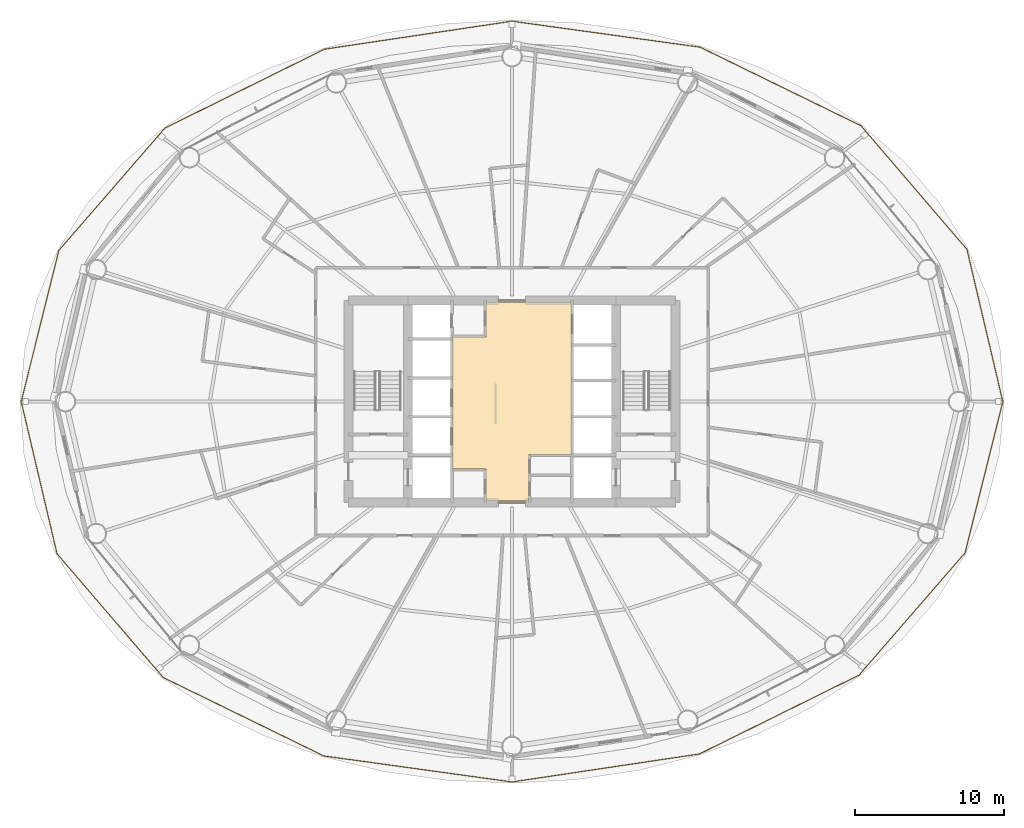
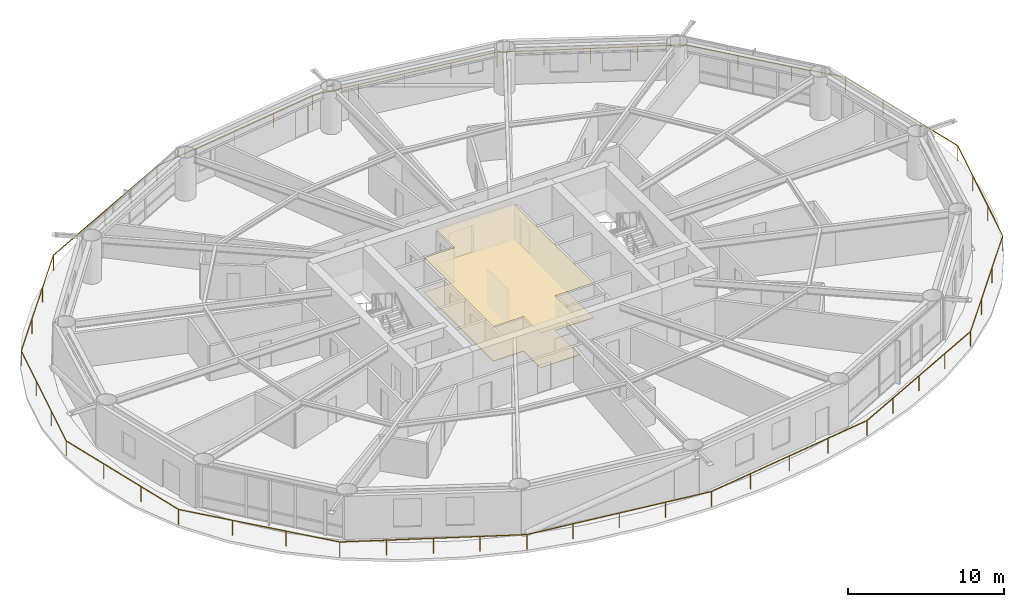
# One storey, part 25 of 26: 2 coverings, 1 railing.
"""IFC4 building model written with IfcOpenShell, lengths in metres."""

from ifc_helpers import new_model, si_unit, direction, frame, origin, origin_2d, place, context, subcontext, project, spatial, polyline, rectangle, outline, extrude, material, layer, layer_set, type_object, element, save


model = new_model("IFC4")

# Units and contexts
model_context = context("Model", 3, precision=1e-05, world=origin(), true_north=direction((0.0, 1.0)))
body_context = subcontext(model_context, "Body", "Model", "MODEL_VIEW")
ifc_project = project(units=[si_unit("LENGTHUNIT", "METRE"), si_unit("AREAUNIT", "SQUARE_METRE"), si_unit("VOLUMEUNIT", "CUBIC_METRE"), si_unit("PLANEANGLEUNIT", "RADIAN"), si_unit("MASSUNIT", "GRAM", prefix="KILO")], contexts=[model_context])

# Site, building, storey
site_placement = place(None, origin())
site = spatial("IfcSite", under=ifc_project, at=site_placement, CompositionType="ELEMENT")
building_placement = place(site_placement, origin())
building = spatial("IfcBuilding", under=site, at=building_placement, Name="Sarneth Arch Tower", CompositionType="ELEMENT")
storey_placement = place(building_placement, frame((0.0, 0.0, 60.60009765625)))
storey = spatial("IfcBuildingStorey", under=building, at=storey_placement, Name="L14", CompositionType="ELEMENT", Elevation=60.60009765625)

# Coverings
ifc_material_1 = material(Name="Perforated acoustic gypsum ceiling board")
ifc_layer_1 = layer(ifc_material_1, 0.02490234375)
ifc_layer_set_1 = layer_set([ifc_layer_1], Name="Perforated acoustic gypsum ceiling board")
covering_type_1 = type_object("IfcCoveringType", Name="COV-CEIL-GYP", PredefinedType="CEILING", material=ifc_layer_set_1)
covering_1_placement = place(storey_placement, frame((0.0, 0.0, 2.7099609375)))
element("IfcCovering", 1, at=covering_1_placement, inside=storey, type_object=covering_type_1, Name="L14 Lift lobby acoustic ceiling", PredefinedType="CEILING", context=body_context, shape_type="SweptSolid", body=[
    extrude(outline(polyline([(49.14990234375, 38.449951171875), (49.14990234375, 35.300048828125), (46.25, 35.300048828125), (46.25, 37.449951171875), (44.0, 37.449951171875), (44.0, 46.35009765625), (46.25, 46.35009765625), (46.25, 48.699951171875), (52.0, 48.699951171875), (52.0, 38.449951171875), (49.14990234375, 38.449951171875)])), origin(), (0.0, 0.0, 1.0), 0.030029296875),
])
ifc_material_2 = material(Name="Honed granite stone flooring", Category="masonry")
ifc_layer_2 = layer(ifc_material_2, 0.030029296875)
ifc_layer_set_2 = layer_set([ifc_layer_2], Name="Honed granite stone flooring")
covering_type_2 = type_object("IfcCoveringType", Name="COV-FLR-STONE", PredefinedType="FLOORING", material=ifc_layer_set_2)
covering_2_placement = place(storey_placement, origin())
element("IfcCovering", 2, at=covering_2_placement, inside=storey, type_object=covering_type_2, Name="L14 Lift lobby granite flooring", PredefinedType="FLOORING", context=body_context, shape_type="SweptSolid", body=[
    extrude(outline(polyline([(49.14990234375, 38.449951171875), (49.14990234375, 35.300048828125), (46.25, 35.300048828125), (46.25, 37.449951171875), (44.0, 37.449951171875), (44.0, 46.35009765625), (46.25, 46.35009765625), (46.25, 48.699951171875), (52.0, 48.699951171875), (52.0, 38.449951171875), (49.14990234375, 38.449951171875)])), origin(), (0.0, 0.0, 1.0), 0.02978515625),
])

# Railing
ifc_material_3 = material(Name="Laminated structural glass infill with Stainless Steel 316 top rail and posts", Category="steel")
railing_type = type_object("IfcRailingType", Name="RAIL-BALC-1200", PredefinedType="BALUSTRADE", material=ifc_material_3)
railing_placement = place(storey_placement, frame((81.013671875, 42.0, 0.0)))
element("IfcRailing", 3, at=railing_placement, inside=storey, type_object=railing_type, Name="L14 Helical balcony glass balustrade", PredefinedType="BALUSTRADE", context=body_context, shape_type="SweptSolid", body=[
    extrude(rectangle(XDim=0.048095703125, YDim=0.048095703125, at=origin_2d()), frame((0.0, 0.0, 1.17578125), z_axis=(-0.229428707075, 0.97332546888, 0.0), x_axis=(-0.97332546888, -0.229428707075, 0.0)), (0.0, 0.0, 1.0), 10.518798828125),
    extrude(rectangle(XDim=0.048095703125, YDim=0.048095703125, at=origin_2d()), frame((-2.413330078125, 10.23828125, 1.17578125), z_axis=(-0.650943668972, 0.759126036851, 0.0), x_axis=(-0.759126036851, -0.650943668972, 0.0)), (0.0, 0.0, 1.0), 10.95654296875),
    extrude(rectangle(XDim=0.048095703125, YDim=0.048095703125, at=origin_2d()), frame((-9.54541015625, 18.5556640625, 1.17578125), z_axis=(-0.898535514198, 0.438900819918, 0.0), x_axis=(-0.438900819918, -0.898535514198, 0.0)), (0.0, 0.0, 1.0), 12.033935546875),
    extrude(rectangle(XDim=0.048095703125, YDim=0.048095703125, at=origin_2d()), frame((-20.3583984375, 23.83740234375, 1.17578125), z_axis=(-0.990589527697, 0.136866312936, 0.0), x_axis=(-0.136866312936, -0.990589527697, 0.0)), (0.0, 0.0, 1.0), 12.775390625),
    extrude(rectangle(XDim=0.048095703125, YDim=0.048095703125, at=origin_2d()), frame((-33.013671875, 25.5859375, 1.17578125), z_axis=(-0.989026462655, -0.1477384722, 0.0), x_axis=(0.1477384722, -0.989026462655, 0.0)), (0.0, 0.0, 1.0), 12.75244140625),
    extrude(rectangle(XDim=0.048095703125, YDim=0.048095703125, at=origin_2d()), frame((-45.626220703125, 23.701904296875, 1.17578125), z_axis=(-0.896452592495, -0.443139650007, 0.0), x_axis=(0.443139650007, -0.896452592495, 0.0)), (0.0, 0.0, 1.0), 11.97509765625),
    extrude(rectangle(XDim=0.048095703125, YDim=0.048095703125, at=origin_2d()), frame((-56.361328125, 18.395263671875, 1.17578125), z_axis=(-0.654898943958, -0.755716463499, 0.0), x_axis=(0.755716463499, -0.654898943958, 0.0)), (0.0, 0.0, 1.0), 10.88525390625),
    extrude(rectangle(XDim=0.048095703125, YDim=0.048095703125, at=origin_2d()), frame((-63.489990234375, 10.169189453125, 1.17578125), z_axis=(-0.242091648712, -0.970253386299, 0.0), x_axis=(0.970253386299, -0.242091648712, 0.0)), (0.0, 0.0, 1.0), 10.48095703125),
    extrude(rectangle(XDim=0.048095703125, YDim=0.048095703125, at=origin_2d()), frame((-66.02734375, 0.0, 1.17578125), z_axis=(0.229428707075, -0.97332546888, 0.0), x_axis=(0.97332546888, 0.229428707075, 0.0)), (0.0, 0.0, 1.0), 10.518798828125),
    extrude(rectangle(XDim=0.048095703125, YDim=0.048095703125, at=origin_2d()), frame((-63.614013671875, -10.23828125, 1.17578125), z_axis=(0.650943668972, -0.759126036851, 0.0), x_axis=(0.759126036851, 0.650943668972, 0.0)), (0.0, 0.0, 1.0), 10.95654296875),
    extrude(rectangle(XDim=0.048095703125, YDim=0.048095703125, at=origin_2d()), frame((-56.48193359375, -18.5556640625, 1.17578125), z_axis=(0.898535514198, -0.438900819918, 0.0), x_axis=(0.438900819918, 0.898535514198, 0.0)), (0.0, 0.0, 1.0), 12.033935546875),
    extrude(rectangle(XDim=0.048095703125, YDim=0.048095703125, at=origin_2d()), frame((-45.6689453125, -23.83740234375, 1.17578125), z_axis=(0.990589527697, -0.136866312936, 0.0), x_axis=(0.136866312936, 0.990589527697, 0.0)), (0.0, 0.0, 1.0), 12.775390625),
    extrude(rectangle(XDim=0.048095703125, YDim=0.048095703125, at=origin_2d()), frame((-33.013671875, -25.5859375, 1.17578125), z_axis=(0.989026462655, 0.1477384722, 0.0), x_axis=(-0.1477384722, 0.989026462655, 0.0)), (0.0, 0.0, 1.0), 12.75244140625),
    extrude(rectangle(XDim=0.048095703125, YDim=0.048095703125, at=origin_2d()), frame((-20.401123046875, -23.701904296875, 1.17578125), z_axis=(0.896452592495, 0.443139650007, 0.0), x_axis=(-0.443139650007, 0.896452592495, 0.0)), (0.0, 0.0, 1.0), 11.97509765625),
    extrude(rectangle(XDim=0.048095703125, YDim=0.048095703125, at=origin_2d()), frame((-9.666015625, -18.395263671875, 1.17578125), z_axis=(0.654898943958, 0.755716463499, 0.0), x_axis=(-0.755716463499, 0.654898943958, 0.0)), (0.0, 0.0, 1.0), 10.88525390625),
    extrude(rectangle(XDim=0.048095703125, YDim=0.048095703125, at=origin_2d()), frame((-2.537353515625, -10.169189453125, 1.17578125), z_axis=(0.242091648712, 0.970253386299, 0.0), x_axis=(-0.970253386299, 0.242091648712, 0.0)), (0.0, 0.0, 1.0), 10.48095703125),
    extrude(rectangle(XDim=0.0419921875, YDim=0.0419921875, at=origin_2d()), origin(), (0.0, 0.0, 1.0), 1.15185546875),
    extrude(rectangle(XDim=0.0419921875, YDim=0.0419921875, at=origin_2d()), frame((-0.804443359375, 3.412841796875, 0.0)), (0.0, 0.0, 1.0), 1.15185546875),
    extrude(rectangle(XDim=0.0419921875, YDim=0.0419921875, at=origin_2d()), frame((-1.60888671875, 6.825439453125, 0.0)), (0.0, 0.0, 1.0), 1.15185546875),
    extrude(rectangle(XDim=0.0419921875, YDim=0.0419921875, at=origin_2d()), frame((-2.413330078125, 10.23828125, 0.0)), (0.0, 0.0, 1.0), 1.15185546875),
    extrude(rectangle(XDim=0.0419921875, YDim=0.0419921875, at=origin_2d()), frame((-4.790771484375, 13.0107421875, 0.0)), (0.0, 0.0, 1.0), 1.15185546875),
    extrude(rectangle(XDim=0.0419921875, YDim=0.0419921875, at=origin_2d()), frame((-7.16796875, 15.783203125, 0.0)), (0.0, 0.0, 1.0), 1.15185546875),
    extrude(rectangle(XDim=0.0419921875, YDim=0.0419921875, at=origin_2d()), frame((-9.54541015625, 18.5556640625, 0.0)), (0.0, 0.0, 1.0), 1.15185546875),
    extrude(rectangle(XDim=0.0419921875, YDim=0.0419921875, at=origin_2d()), frame((-12.24853515625, 19.8759765625, 0.0)), (0.0, 0.0, 1.0), 1.15185546875),
    extrude(rectangle(XDim=0.0419921875, YDim=0.0419921875, at=origin_2d()), frame((-14.951904296875, 21.196533203125, 0.0)), (0.0, 0.0, 1.0), 1.15185546875),
    extrude(rectangle(XDim=0.0419921875, YDim=0.0419921875, at=origin_2d()), frame((-17.6552734375, 22.51708984375, 0.0)), (0.0, 0.0, 1.0), 1.15185546875),
    extrude(rectangle(XDim=0.0419921875, YDim=0.0419921875, at=origin_2d()), frame((-20.3583984375, 23.83740234375, 0.0)), (0.0, 0.0, 1.0), 1.15185546875),
    extrude(rectangle(XDim=0.0419921875, YDim=0.0419921875, at=origin_2d()), frame((-23.522216796875, 24.2744140625, 0.0)), (0.0, 0.0, 1.0), 1.15185546875),
    extrude(rectangle(XDim=0.0419921875, YDim=0.0419921875, at=origin_2d()), frame((-26.68603515625, 24.711669921875, 0.0)), (0.0, 0.0, 1.0), 1.15185546875),
    extrude(rectangle(XDim=0.0419921875, YDim=0.0419921875, at=origin_2d()), frame((-29.849853515625, 25.14892578125, 0.0)), (0.0, 0.0, 1.0), 1.15185546875),
    extrude(rectangle(XDim=0.0419921875, YDim=0.0419921875, at=origin_2d()), frame((-33.013671875, 25.5859375, 0.0)), (0.0, 0.0, 1.0), 1.15185546875),
    extrude(rectangle(XDim=0.0419921875, YDim=0.0419921875, at=origin_2d()), frame((-36.166748046875, 25.114990234375, 0.0)), (0.0, 0.0, 1.0), 1.15185546875),
    extrude(rectangle(XDim=0.0419921875, YDim=0.0419921875, at=origin_2d()), frame((-39.31982421875, 24.64404296875, 0.0)), (0.0, 0.0, 1.0), 1.15185546875),
    extrude(rectangle(XDim=0.0419921875, YDim=0.0419921875, at=origin_2d()), frame((-42.47314453125, 24.1728515625, 0.0)), (0.0, 0.0, 1.0), 1.15185546875),
    extrude(rectangle(XDim=0.0419921875, YDim=0.0419921875, at=origin_2d()), frame((-45.626220703125, 23.701904296875, 0.0)), (0.0, 0.0, 1.0), 1.15185546875),
    extrude(rectangle(XDim=0.0419921875, YDim=0.0419921875, at=origin_2d()), frame((-48.31005859375, 22.375244140625, 0.0)), (0.0, 0.0, 1.0), 1.15185546875),
    extrude(rectangle(XDim=0.0419921875, YDim=0.0419921875, at=origin_2d()), frame((-50.99365234375, 21.048583984375, 0.0)), (0.0, 0.0, 1.0), 1.15185546875),
    extrude(rectangle(XDim=0.0419921875, YDim=0.0419921875, at=origin_2d()), frame((-53.677490234375, 19.721923828125, 0.0)), (0.0, 0.0, 1.0), 1.15185546875),
    extrude(rectangle(XDim=0.0419921875, YDim=0.0419921875, at=origin_2d()), frame((-56.361328125, 18.395263671875, 0.0)), (0.0, 0.0, 1.0), 1.15185546875),
    extrude(rectangle(XDim=0.0419921875, YDim=0.0419921875, at=origin_2d()), frame((-58.737548828125, 15.6533203125, 0.0)), (0.0, 0.0, 1.0), 1.15185546875),
    extrude(rectangle(XDim=0.0419921875, YDim=0.0419921875, at=origin_2d()), frame((-61.11376953125, 12.9111328125, 0.0)), (0.0, 0.0, 1.0), 1.15185546875),
    extrude(rectangle(XDim=0.0419921875, YDim=0.0419921875, at=origin_2d()), frame((-63.489990234375, 10.169189453125, 0.0)), (0.0, 0.0, 1.0), 1.15185546875),
    extrude(rectangle(XDim=0.0419921875, YDim=0.0419921875, at=origin_2d()), frame((-64.335693359375, 6.779541015625, 0.0)), (0.0, 0.0, 1.0), 1.15185546875),
    extrude(rectangle(XDim=0.0419921875, YDim=0.0419921875, at=origin_2d()), frame((-65.181640625, 3.3896484375, 0.0)), (0.0, 0.0, 1.0), 1.15185546875),
    extrude(rectangle(XDim=0.0419921875, YDim=0.0419921875, at=origin_2d()), frame((-66.02734375, 0.0, 0.0)), (0.0, 0.0, 1.0), 1.15185546875),
    extrude(rectangle(XDim=0.0419921875, YDim=0.0419921875, at=origin_2d()), frame((-65.222900390625, -3.412841796875, 0.0)), (0.0, 0.0, 1.0), 1.15185546875),
    extrude(rectangle(XDim=0.0419921875, YDim=0.0419921875, at=origin_2d()), frame((-64.41845703125, -6.825439453125, 0.0)), (0.0, 0.0, 1.0), 1.15185546875),
    extrude(rectangle(XDim=0.0419921875, YDim=0.0419921875, at=origin_2d()), frame((-63.614013671875, -10.23828125, 0.0)), (0.0, 0.0, 1.0), 1.15185546875),
    extrude(rectangle(XDim=0.0419921875, YDim=0.0419921875, at=origin_2d()), frame((-61.236572265625, -13.0107421875, 0.0)), (0.0, 0.0, 1.0), 1.15185546875),
    extrude(rectangle(XDim=0.0419921875, YDim=0.0419921875, at=origin_2d()), frame((-58.859375, -15.783203125, 0.0)), (0.0, 0.0, 1.0), 1.15185546875),
    extrude(rectangle(XDim=0.0419921875, YDim=0.0419921875, at=origin_2d()), frame((-56.48193359375, -18.5556640625, 0.0)), (0.0, 0.0, 1.0), 1.15185546875),
    extrude(rectangle(XDim=0.0419921875, YDim=0.0419921875, at=origin_2d()), frame((-53.77880859375, -19.8759765625, 0.0)), (0.0, 0.0, 1.0), 1.15185546875),
    extrude(rectangle(XDim=0.0419921875, YDim=0.0419921875, at=origin_2d()), frame((-51.075439453125, -21.196533203125, 0.0)), (0.0, 0.0, 1.0), 1.15185546875),
    extrude(rectangle(XDim=0.0419921875, YDim=0.0419921875, at=origin_2d()), frame((-48.3720703125, -22.51708984375, 0.0)), (0.0, 0.0, 1.0), 1.15185546875),
    extrude(rectangle(XDim=0.0419921875, YDim=0.0419921875, at=origin_2d()), frame((-45.6689453125, -23.83740234375, 0.0)), (0.0, 0.0, 1.0), 1.15185546875),
    extrude(rectangle(XDim=0.0419921875, YDim=0.0419921875, at=origin_2d()), frame((-42.505126953125, -24.2744140625, 0.0)), (0.0, 0.0, 1.0), 1.15185546875),
    extrude(rectangle(XDim=0.0419921875, YDim=0.0419921875, at=origin_2d()), frame((-39.34130859375, -24.711669921875, 0.0)), (0.0, 0.0, 1.0), 1.15185546875),
    extrude(rectangle(XDim=0.0419921875, YDim=0.0419921875, at=origin_2d()), frame((-36.177490234375, -25.14892578125, 0.0)), (0.0, 0.0, 1.0), 1.15185546875),
    extrude(rectangle(XDim=0.0419921875, YDim=0.0419921875, at=origin_2d()), frame((-33.013671875, -25.5859375, 0.0)), (0.0, 0.0, 1.0), 1.15185546875),
    extrude(rectangle(XDim=0.0419921875, YDim=0.0419921875, at=origin_2d()), frame((-29.860595703125, -25.114990234375, 0.0)), (0.0, 0.0, 1.0), 1.15185546875),
    extrude(rectangle(XDim=0.0419921875, YDim=0.0419921875, at=origin_2d()), frame((-26.70751953125, -24.64404296875, 0.0)), (0.0, 0.0, 1.0), 1.15185546875),
    extrude(rectangle(XDim=0.0419921875, YDim=0.0419921875, at=origin_2d()), frame((-23.55419921875, -24.1728515625, 0.0)), (0.0, 0.0, 1.0), 1.15185546875),
    extrude(rectangle(XDim=0.0419921875, YDim=0.0419921875, at=origin_2d()), frame((-20.401123046875, -23.701904296875, 0.0)), (0.0, 0.0, 1.0), 1.15185546875),
    extrude(rectangle(XDim=0.0419921875, YDim=0.0419921875, at=origin_2d()), frame((-17.71728515625, -22.375244140625, 0.0)), (0.0, 0.0, 1.0), 1.15185546875),
    extrude(rectangle(XDim=0.0419921875, YDim=0.0419921875, at=origin_2d()), frame((-15.03369140625, -21.048583984375, 0.0)), (0.0, 0.0, 1.0), 1.15185546875),
    extrude(rectangle(XDim=0.0419921875, YDim=0.0419921875, at=origin_2d()), frame((-12.349853515625, -19.721923828125, 0.0)), (0.0, 0.0, 1.0), 1.15185546875),
    extrude(rectangle(XDim=0.0419921875, YDim=0.0419921875, at=origin_2d()), frame((-9.666015625, -18.395263671875, 0.0)), (0.0, 0.0, 1.0), 1.15185546875),
    extrude(rectangle(XDim=0.0419921875, YDim=0.0419921875, at=origin_2d()), frame((-7.289794921875, -15.6533203125, 0.0)), (0.0, 0.0, 1.0), 1.15185546875),
    extrude(rectangle(XDim=0.0419921875, YDim=0.0419921875, at=origin_2d()), frame((-4.91357421875, -12.9111328125, 0.0)), (0.0, 0.0, 1.0), 1.15185546875),
    extrude(rectangle(XDim=0.0419921875, YDim=0.0419921875, at=origin_2d()), frame((-2.537353515625, -10.169189453125, 0.0)), (0.0, 0.0, 1.0), 1.15185546875),
    extrude(rectangle(XDim=0.0419921875, YDim=0.0419921875, at=origin_2d()), frame((-1.691650390625, -6.779541015625, 0.0)), (0.0, 0.0, 1.0), 1.15185546875),
    extrude(rectangle(XDim=0.0419921875, YDim=0.0419921875, at=origin_2d()), frame((-0.845703125, -3.3896484375, 0.0)), (0.0, 0.0, 1.0), 1.15185546875),
])

save(model, "model.ifc")
